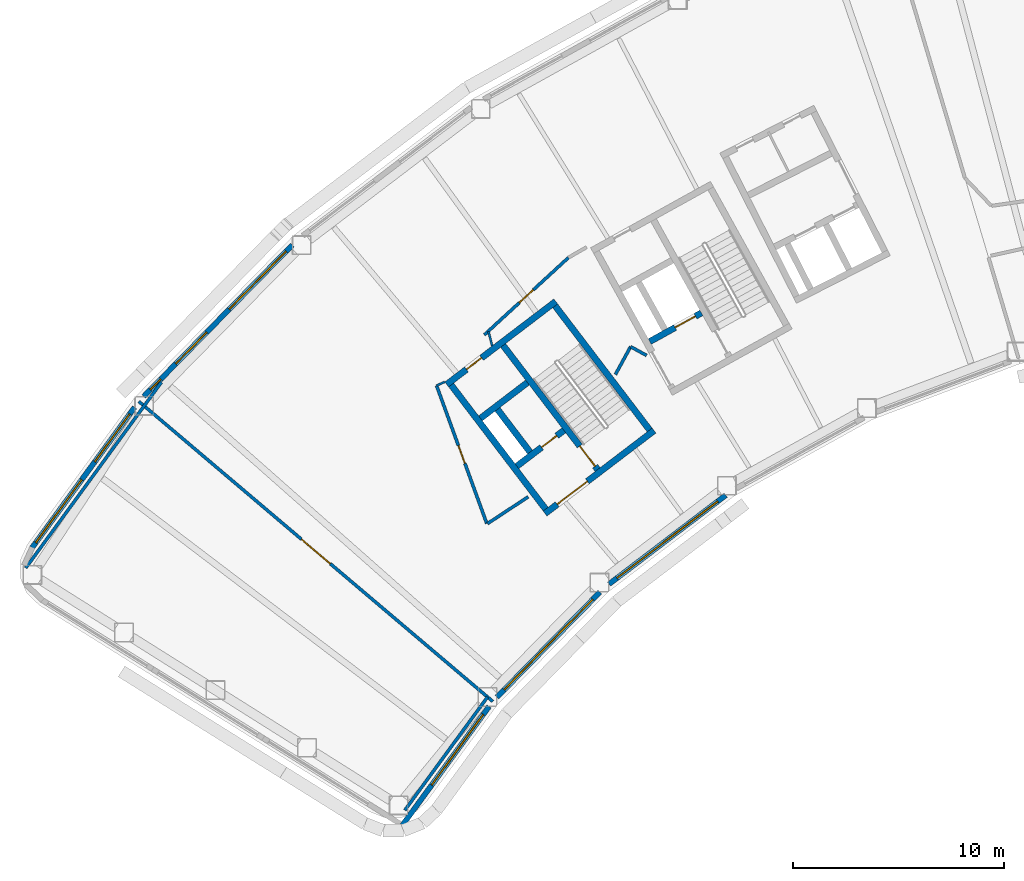
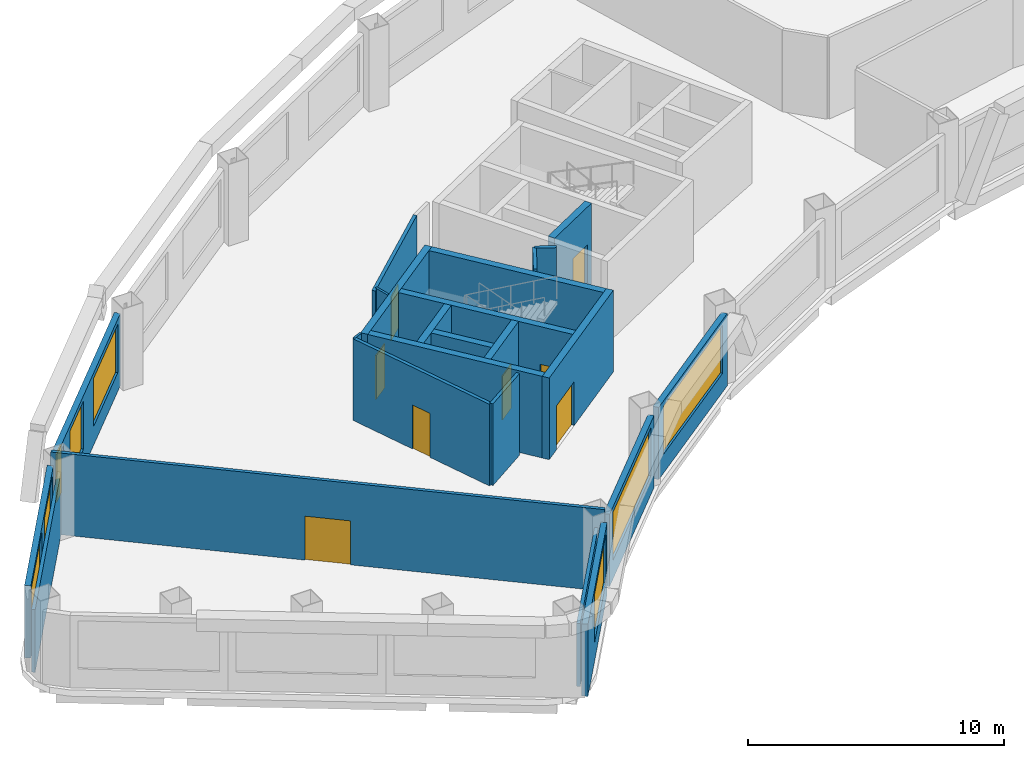
# One storey, part 5 of 12: 24 walls, 8 doors, 8 windows, 16 openings.
"""IFC4 building model written with IfcOpenShell, lengths in metres."""

import ifcopenshell
import ifcopenshell.guid

model = None  # the IFC model being written
_history = None  # IfcOwnerHistory: only IFC2X3 demands one
_inside = {}  # id of a spatial element -> (the spatial element, [elements in it])
_under = {}  # id of a project, library or spatial element -> (it, [spatial elements below it])
_declared = {}  # id of a project -> (the project, [libraries it declares])
_typed = {}  # id of a type object -> (the type object, [elements of that type])
_made_of = {}  # id of a material, layer set ... -> (it, [elements and type objects made of it])


def new_model(schema):
    """Start an empty IFC model of exactly this schema.

    Asked for "IFC4X3", IfcOpenShell would pick the latest addendum, in which some entities
    have other attributes; the version numbers below select the first issue.
    IFC2X3 requires an IfcOwnerHistory on every rooted entity: one is made here for all.
    """
    global model, _history
    if schema == "IFC4X3":
        model = ifcopenshell.file(schema_version=(4, 3, 0, 0))
    else:
        model = ifcopenshell.file(schema=schema)
    _inside.clear()
    _under.clear()
    _declared.clear()
    _typed.clear()
    _made_of.clear()
    _history = None
    if model.schema == "IFC2X3":
        org = make("IfcOrganization", Name="unknown")
        user = make(
            "IfcPersonAndOrganization",
            ThePerson=make("IfcPerson", FamilyName="unknown"),
            TheOrganization=org,
        )
        app = make(
            "IfcApplication",
            ApplicationDeveloper=org,
            Version="unknown",
            ApplicationFullName="unknown",
            ApplicationIdentifier="unknown",
        )
        _history = make(
            "IfcOwnerHistory",
            OwningUser=user,
            OwningApplication=app,
            ChangeAction="ADDED",
            CreationDate=0,
        )
    return model


def make(cls, **values):
    """One entity of the class cls with the attributes given. An attribute that is None is left unset."""
    return model.create_entity(
        cls, **{name: value for name, value in values.items() if value is not None}
    )


def rooted(cls, **values):
    """An entity with a GlobalId (a new one), such as an element, a storey or a relation."""
    return make(cls, GlobalId=ifcopenshell.guid.new(), OwnerHistory=_history, **values)


def si_unit(unit_type, name, prefix=None):
    """IfcSIUnit, for example si_unit("LENGTHUNIT", "METRE", prefix="MILLI")."""
    return make("IfcSIUnit", UnitType=unit_type, Prefix=prefix, Name=name)


def assignment(units):
    """IfcUnitAssignment: the units of a project."""
    return None if units is None else make("IfcUnitAssignment", Units=units)


def point(xyz):
    """IfcCartesianPoint."""
    return None if xyz is None else make("IfcCartesianPoint", Coordinates=xyz)


def direction(xyz):
    """IfcDirection."""
    return None if xyz is None else make("IfcDirection", DirectionRatios=xyz)


def frame(location, z_axis=None, x_axis=None):
    """IfcAxis2Placement3D, a coordinate frame: its origin and axes. An axis left out is left unset."""
    return make(
        "IfcAxis2Placement3D",
        Location=point(location),
        Axis=direction(z_axis),
        RefDirection=direction(x_axis),
    )


def frame_2d(location, x_axis=None):
    """IfcAxis2Placement2D, a coordinate frame in the plane: its origin and x axis."""
    return make(
        "IfcAxis2Placement2D", Location=point(location), RefDirection=direction(x_axis)
    )


def origin():
    """The frame at (0, 0, 0) with its axes left unset."""
    return frame((0.0, 0.0, 0.0))


def place(relative_to, where):
    """IfcLocalPlacement: puts the frame where relative to a parent placement (None: the world)."""
    return make(
        "IfcLocalPlacement", PlacementRelTo=relative_to, RelativePlacement=where
    )


def context(
    kind, dimensions, precision=None, world=None, true_north=None, identifier=None
):
    """IfcGeometricRepresentationContext, for example the 3D "Model" context."""
    return make(
        "IfcGeometricRepresentationContext",
        ContextIdentifier=identifier,
        ContextType=kind,
        CoordinateSpaceDimension=dimensions,
        Precision=precision,
        WorldCoordinateSystem=world,
        TrueNorth=true_north,
    )


def subcontext(parent, identifier, kind, view, scale=None):
    """IfcGeometricRepresentationSubContext, for example "Body" below "Model"."""
    return make(
        "IfcGeometricRepresentationSubContext",
        ContextIdentifier=identifier,
        ContextType=kind,
        ParentContext=parent,
        TargetScale=scale,
        TargetView=view,
    )


def project(units=None, contexts=None):
    """IfcProject with its units and contexts."""
    return rooted(
        "IfcProject",
        Name="project",
        RepresentationContexts=contexts,
        UnitsInContext=assignment(units),
    )


def spatial(cls, under=None, at=None, **own):
    """A site, building, storey or space (cls), placed at a placement, below another one or the project."""
    s = rooted(cls, ObjectPlacement=at, **own)
    if under is not None:
        _under.setdefault(under.id(), (under, []))[1].append(s)
    return s


def profile(cls, at=None, kind="AREA", **sizes):
    """A parametric profile (cls). Its sizes go by their IFC names, for example OverallWidth=200.0."""
    return make(cls, ProfileType=kind, Position=at, **sizes)


def rectangle(**sizes):
    """IfcRectangleProfileDef."""
    return profile("IfcRectangleProfileDef", **sizes)


def extrude(swept, where, along, depth):
    """IfcExtrudedAreaSolid: the profile swept, set in the frame where, extruded along a direction by depth."""
    return make(
        "IfcExtrudedAreaSolid",
        SweptArea=swept,
        Position=where,
        ExtrudedDirection=direction(along),
        Depth=depth,
    )


def shape(context_of_items, identifier, shape_type, items):
    """IfcShapeRepresentation: the items that make up one representation, for example the "Body"."""
    return make(
        "IfcShapeRepresentation",
        ContextOfItems=context_of_items,
        RepresentationIdentifier=identifier,
        RepresentationType=shape_type,
        Items=items,
    )


def material(Name=None, Category=None):
    """IfcMaterial."""
    return make("IfcMaterial", Name=Name, Category=Category)


def layer(
    of_material, thickness, ventilated=None, Name=None, Category=None, Priority=None
):
    """IfcMaterialLayer: one layer of a wall or slab, of a material (None: an air gap)."""
    return make(
        "IfcMaterialLayer",
        Material=of_material,
        LayerThickness=thickness,
        IsVentilated=ventilated,
        Name=Name,
        Category=Category,
        Priority=Priority,
    )


def layer_set(layers, Name=None):
    """IfcMaterialLayerSet."""
    return make("IfcMaterialLayerSet", MaterialLayers=layers, LayerSetName=Name)


def made_of(thing, what):
    """Note that an element or type object is made of a material, layer set ...; save() writes the relation."""
    if what is not None:
        _made_of.setdefault(what.id(), (what, []))[1].append(thing)
    return thing


def type_object(cls, material=None, **own):
    """A type object (cls), such as IfcWallType, which elements share."""
    return made_of(rooted(cls, **own), material)


def element(
    cls,
    number,
    at=None,
    inside=None,
    cuts=None,
    type_object=None,
    material=None,
    context=None,
    identifier="Body",
    shape_type=None,
    held_by="IfcProductDefinitionShape",
    body=None,
    shapes=None,
    **own,
):
    """One element of the class cls, such as IfcWall. Its Tag is "e" and its number.

    at: its placement. inside: the storey or other place that contains it. cuts: it is an
    opening in that element (IfcRelVoidsElement). A single representation is given by context,
    identifier, shape_type and body (its items); several are given by shapes. held_by: the class
    of the entity that holds the representations. save() writes the other relations.
    """
    e = rooted(cls, Tag="e%d" % number, ObjectPlacement=at, **own)
    if body is not None:
        shapes = [shape(context, identifier, shape_type, body)]
    if shapes is not None:
        e.Representation = make(held_by, Representations=shapes)
    if inside is not None:
        _inside.setdefault(inside.id(), (inside, []))[1].append(e)
    if cuts is not None:
        rooted(
            "IfcRelVoidsElement", RelatingBuildingElement=cuts, RelatedOpeningElement=e
        )
    if type_object is not None:
        _typed.setdefault(type_object.id(), (type_object, []))[1].append(e)
    return made_of(e, material)


def fill(opening, filler):
    """IfcRelFillsElement: the door or window that sits in an opening."""
    return rooted(
        "IfcRelFillsElement",
        RelatingOpeningElement=opening,
        RelatedBuildingElement=filler,
    )


def aggregate(whole, parts):
    """IfcRelAggregates: a whole, such as a stair, and the parts it consists of."""
    return rooted("IfcRelAggregates", RelatingObject=whole, RelatedObjects=parts)


def save(model, path):
    """Write the relations noted so far, then the file.

    IfcRelAggregates (storeys below a building ...), IfcRelContainedInSpatialStructure (elements
    in a storey), IfcRelDefinesByType, IfcRelAssociatesMaterial and IfcRelDeclares: one each for
    every whole, place, type object, material and project.
    """
    for whole, parts in _under.values():
        aggregate(whole, parts)
    for where, things in _inside.values():
        rooted(
            "IfcRelContainedInSpatialStructure",
            RelatedElements=things,
            RelatingStructure=where,
        )
    for kind, things in _typed.values():
        rooted("IfcRelDefinesByType", RelatedObjects=things, RelatingType=kind)
    for what, things in _made_of.values():
        rooted("IfcRelAssociatesMaterial", RelatedObjects=things, RelatingMaterial=what)
    for by, libraries in _declared.values():
        rooted("IfcRelDeclares", RelatingContext=by, RelatedDefinitions=libraries)
    model.write(path)


model = new_model("IFC4")

# Units and contexts
model_context = context("Model", 3, precision=1e-05, world=origin(), true_north=direction((0.0, 1.0)))
body_context = subcontext(model_context, "Body", "Model", "MODEL_VIEW")
ifc_project = project(units=[si_unit("LENGTHUNIT", "METRE"), si_unit("AREAUNIT", "SQUARE_METRE"), si_unit("VOLUMEUNIT", "CUBIC_METRE"), si_unit("PLANEANGLEUNIT", "RADIAN"), si_unit("MASSUNIT", "GRAM", prefix="KILO")], contexts=[model_context])

# Site, building, storey
site_placement = place(None, origin())
site = spatial("IfcSite", under=ifc_project, at=site_placement, CompositionType="ELEMENT")
building_placement = place(site_placement, origin())
building = spatial("IfcBuilding", under=site, at=building_placement, Name="Tuul Gate Civic Tower", CompositionType="ELEMENT")
storey_placement = place(building_placement, frame((0.0, 0.0, 193.10009765625)))
storey = spatial("IfcBuildingStorey", under=building, at=storey_placement, Name="Level 44", CompositionType="ELEMENT", Elevation=193.10009765625)

# Wall, opening, door
ifc_material_1 = material(Name="Concrete C50/60", Category="concrete")
ifc_layer_1 = layer(ifc_material_1, 0.300048828125)
ifc_layer_set_1 = layer_set([ifc_layer_1], Name="Concrete C50/60")
wall_type_1 = type_object("IfcWallType", Name="Core wall C50/60", PredefinedType="SHEAR", material=ifc_layer_set_1)
wall_1_placement = place(storey_placement, frame((-31.19091796875, -13.669677734375, 0.0), z_axis=(0.0, 0.0, 1.0), x_axis=(-0.795606717756, -0.605813461934, 0.0)))
wall_1 = element("IfcWall", 1, at=wall_1_placement, inside=storey, type_object=wall_type_1, Name="Core wall", PredefinedType="SHEAR", context=body_context, shape_type="SweptSolid", body=[
    extrude(rectangle(XDim=6.5, YDim=0.300048828125, at=frame_2d((3.25, 0.0))), origin(), (0.0, 0.0, 1.0), 3.89990234375),
])
opening_1_placement = place(wall_1_placement, frame((3.97509765625, 0.0, 0.0)))
opening_1 = element("IfcOpeningElement", 2, at=opening_1_placement, cuts=wall_1, Name="Opening LB-W1-LOBBY-1", PredefinedType="OPENING", context=body_context, shape_type="SweptSolid", body=[
    extrude(rectangle(XDim=1.800048828125, YDim=2.10009765625, at=frame_2d((0.89990234375, 1.050048828125))), frame((0.0, 0.16015625, 0.0), z_axis=(0.0, -1.0, 0.0), x_axis=(1.0, 0.0, 0.0)), (0.0, 0.0, 1.0), 0.320068359375),
])
ifc_material_2 = material(Name="Steel", Category="steel")
door_type_1 = type_object("IfcDoorType", Name="Lobby door", OperationType="DOUBLE_DOOR_SINGLE_SWING", PredefinedType="DOOR", material=ifc_material_2)
door_1_placement = place(opening_1_placement, origin())
door_1 = element("IfcDoor", 3, at=door_1_placement, inside=storey, type_object=door_type_1, Name="Lobby door W1-LOBBY", OperationType="DOUBLE_DOOR_SINGLE_SWING", OverallHeight=2.10009765625, OverallWidth=1.800048828125, PredefinedType="DOOR", context=body_context, shape_type="SweptSolid", body=[
    extrude(rectangle(XDim=1.800048828125, YDim=2.10009765625, at=frame_2d((0.89990234375, 1.050048828125))), frame((0.0, 0.02490234375, 0.0), z_axis=(0.0, -1.0, 0.0), x_axis=(1.0, 0.0, 0.0)), (0.0, 0.0, 1.0), 0.050048828125),
])
fill(opening_1, door_1)

wall_2_placement = place(storey_placement, frame((-35.470947265625, -13.66064453125, 0.0), z_axis=(0.0, 0.0, 1.0), x_axis=(-0.795615822227, -0.605801504968, 0.0)))
wall_2 = element("IfcWall", 4, at=wall_2_placement, inside=storey, type_object=wall_type_1, Name="Core wall", PredefinedType="SHEAR", context=body_context, shape_type="SweptSolid", body=[
    extrude(rectangle(XDim=2.800048828125, YDim=0.300048828125, at=frame_2d((1.39990234375, 0.0))), origin(), (0.0, 0.0, 1.0), 3.89990234375),
])
opening_2_placement = place(wall_2_placement, frame((0.425048828125, 0.0, 0.0)))
opening_2 = element("IfcOpeningElement", 5, at=opening_2_placement, cuts=wall_2, Name="Opening FB-W1A1", PredefinedType="OPENING", context=body_context, shape_type="SweptSolid", body=[
    extrude(rectangle(XDim=0.89990234375, YDim=2.10009765625, at=frame_2d((0.449951171875, 1.050048828125))), frame((0.0, 0.16015625, 0.0), z_axis=(0.0, -1.0, 0.0), x_axis=(1.0, 0.0, 0.0)), (0.0, 0.0, 1.0), 0.320068359375),
])
ifc_material_3 = material(Name="Steel", Category="steel")
door_type_2 = type_object("IfcDoorType", Name="Store door", OperationType="NOTDEFINED", PredefinedType="DOOR", material=ifc_material_3)
door_2_placement = place(opening_2_placement, origin())
door_2 = element("IfcDoor", 6, at=door_2_placement, inside=storey, type_object=door_type_2, Name="Store door W1A1", OperationType="SINGLE_SWING_LEFT", OverallHeight=2.10009765625, OverallWidth=0.89990234375, PredefinedType="DOOR", context=body_context, shape_type="SweptSolid", body=[
    extrude(rectangle(XDim=0.89990234375, YDim=2.10009765625, at=frame_2d((0.449951171875, 1.050048828125))), frame((0.0, 0.02490234375, 0.0), z_axis=(0.0, -1.0, 0.0), x_axis=(1.0, 0.0, 0.0)), (0.0, 0.0, 1.0), 0.050048828125),
])
fill(opening_2, door_2)

# Wall
wall_3_placement = place(storey_placement, frame((-37.197509765625, -11.39306640625, 0.0), z_axis=(0.0, 0.0, 1.0), x_axis=(-0.795583820278, -0.605843531707, 0.0)))
element("IfcWall", 7, at=wall_3_placement, inside=storey, type_object=wall_type_1, Name="Core wall", PredefinedType="SHEAR", context=body_context, shape_type="SweptSolid", body=[
    extrude(rectangle(XDim=2.7998046875, YDim=0.300048828125, at=frame_2d((1.39990234375, 0.0))), origin(), (0.0, 0.0, 1.0), 3.89990234375),
])

# Wall, opening, door
wall_4_placement = place(storey_placement, frame((-35.855224609375, -7.543212890625, 0.0), z_axis=(0.0, 0.0, 1.0), x_axis=(-0.79563860527, -0.605771582202, 0.0)))
wall_4 = element("IfcWall", 8, at=wall_4_placement, inside=storey, type_object=wall_type_1, Name="Core wall", PredefinedType="SHEAR", context=body_context, shape_type="SweptSolid", body=[
    extrude(rectangle(XDim=6.5, YDim=0.300048828125, at=frame_2d((3.25, 0.0))), origin(), (0.0, 0.0, 1.0), 3.89990234375),
])
opening_3_placement = place(wall_4_placement, frame((4.425048828125, 0.0, 0.0)))
opening_3 = element("IfcOpeningElement", 9, at=opening_3_placement, cuts=wall_4, Name="Opening P-D12", PredefinedType="OPENING", context=body_context, shape_type="SweptSolid", body=[
    extrude(rectangle(XDim=0.89990234375, YDim=2.10009765625, at=frame_2d((0.449951171875, 1.050048828125))), frame((0.0, 0.16015625, 0.0), z_axis=(0.0, -1.0, 0.0), x_axis=(1.0, 0.0, 0.0)), (0.0, 0.0, 1.0), 0.320068359375),
])
ifc_material_4 = material(Name="Timber door leaf", Category="wood")
door_type_3 = type_object("IfcDoorType", Name="Door D09", OperationType="NOTDEFINED", PredefinedType="DOOR", material=ifc_material_4)
door_3_placement = place(opening_3_placement, origin())
door_3 = element("IfcDoor", 10, at=door_3_placement, inside=storey, type_object=door_type_3, Name="Door P-D12", OperationType="SINGLE_SWING_LEFT", OverallHeight=2.10009765625, OverallWidth=0.89990234375, PredefinedType="DOOR", context=body_context, shape_type="SweptSolid", body=[
    extrude(rectangle(XDim=0.89990234375, YDim=2.10009765625, at=frame_2d((0.449951171875, 1.050048828125))), frame((0.0, 0.02490234375, 0.0), z_axis=(0.0, -1.0, 0.0), x_axis=(1.0, 0.0, 0.0)), (0.0, 0.0, 1.0), 0.050048828125),
])
fill(opening_3, door_3)

# Wall
wall_5_placement = place(storey_placement, frame((-31.401123046875, -13.64111328125, 0.0), z_axis=(0.0, 0.0, 1.0), x_axis=(-0.605769822278, 0.795639945213, 0.0)))
element("IfcWall", 11, at=wall_5_placement, inside=storey, type_object=wall_type_1, Name="Core wall", PredefinedType="SHEAR", context=body_context, shape_type="SweptSolid", body=[
    extrude(rectangle(XDim=7.39990234375, YDim=0.300048828125, at=frame_2d((3.699951171875, 0.0))), origin(), (0.0, 0.0, 1.0), 3.89990234375),
])

# Wall, opening, door
wall_6_placement = place(storey_placement, frame((-33.867431640625, -15.51904296875, 0.0), z_axis=(0.0, 0.0, 1.0), x_axis=(-0.605769822278, 0.795639945213, 0.0)))
wall_6 = element("IfcWall", 12, at=wall_6_placement, inside=storey, type_object=wall_type_1, Name="Core wall", PredefinedType="SHEAR", context=body_context, shape_type="SweptSolid", body=[
    extrude(rectangle(XDim=7.39990234375, YDim=0.300048828125, at=frame_2d((3.699951171875, 0.0))), origin(), (0.0, 0.0, 1.0), 3.89990234375),
])
opening_4_placement = place(wall_6_placement, frame((0.199951171875, 0.0, 0.0)))
opening_4 = element("IfcOpeningElement", 13, at=opening_4_placement, cuts=wall_6, Name="Opening SD-ST-1", PredefinedType="OPENING", context=body_context, shape_type="SweptSolid", body=[
    extrude(rectangle(XDim=1.199951171875, YDim=2.10009765625, at=frame_2d((0.60009765625, 1.050048828125))), frame((0.0, 0.16015625, 0.0), z_axis=(0.0, -1.0, 0.0), x_axis=(1.0, 0.0, 0.0)), (0.0, 0.0, 1.0), 0.320068359375),
])
ifc_material_5 = material(Name="Steel", Category="steel")
door_type_4 = type_object("IfcDoorType", Name="Stair door", OperationType="NOTDEFINED", PredefinedType="DOOR", material=ifc_material_5)
door_4_placement = place(opening_4_placement, origin())
door_4 = element("IfcDoor", 14, at=door_4_placement, inside=storey, type_object=door_type_4, Name="Stair door ST-1", OperationType="SINGLE_SWING_LEFT", OverallHeight=2.10009765625, OverallWidth=1.199951171875, PredefinedType="DOOR", context=body_context, shape_type="SweptSolid", body=[
    extrude(rectangle(XDim=1.199951171875, YDim=2.10009765625, at=frame_2d((0.60009765625, 1.050048828125))), frame((0.0, 0.02490234375, 0.0), z_axis=(0.0, -1.0, 0.0), x_axis=(1.0, 0.0, 0.0)), (0.0, 0.0, 1.0), 0.050048828125),
])
fill(opening_4, door_4)

# Walls
wall_7_placement = place(storey_placement, frame((-37.073486328125, -14.6923828125, 0.0), z_axis=(0.0, 0.0, 1.0), x_axis=(-0.605728760074, 0.79567120673, 0.0)))
element("IfcWall", 15, at=wall_7_placement, inside=storey, type_object=wall_type_1, Name="Core wall", PredefinedType="SHEAR", context=body_context, shape_type="SweptSolid", body=[
    extrude(rectangle(XDim=2.550048828125, YDim=0.300048828125, at=frame_2d((1.27490234375, 0.0))), origin(), (0.0, 0.0, 1.0), 3.89990234375),
])
wall_8_placement = place(storey_placement, frame((-36.333984375, -17.397216796875, 0.0), z_axis=(0.0, 0.0, 1.0), x_axis=(-0.605753921168, 0.795652051458, 0.0)))
element("IfcWall", 16, at=wall_8_placement, inside=storey, type_object=wall_type_1, Name="Core wall", PredefinedType="SHEAR", context=body_context, shape_type="SweptSolid", body=[
    extrude(rectangle(XDim=7.400146484375, YDim=0.300048828125, at=frame_2d((3.7001953125, 0.0))), origin(), (0.0, 0.0, 1.0), 3.89990234375),
])

# Wall, opening, door
wall_9_placement = place(storey_placement, frame((-28.94580078125, -8.090087890625, 0.0), z_axis=(0.0, 0.0, 1.0), x_axis=(-0.874629840737, -0.484791338301, 0.0)))
wall_9 = element("IfcWall", 17, at=wall_9_placement, inside=storey, type_object=wall_type_1, Name="Core wall", PredefinedType="SHEAR", context=body_context, shape_type="SweptSolid", body=[
    extrude(rectangle(XDim=2.800048828125, YDim=0.300048828125, at=frame_2d((1.39990234375, 0.0))), origin(), (0.0, 0.0, 1.0), 3.89990234375),
])
opening_5_placement = place(wall_9_placement, frame((0.324951171875, 0.0, 0.0)))
opening_5 = element("IfcOpeningElement", 18, at=opening_5_placement, cuts=wall_9, Name="Opening LD-FF-1", PredefinedType="OPENING", context=body_context, shape_type="SweptSolid", body=[
    extrude(rectangle(XDim=1.10009765625, YDim=2.10009765625, at=frame_2d((0.550048828125, 1.050048828125))), frame((0.0, 0.16015625, 0.0), z_axis=(0.0, -1.0, 0.0), x_axis=(1.0, 0.0, 0.0)), (0.0, 0.0, 1.0), 0.320068359375),
])
ifc_material_6 = material(Name="Stainless steel", Category="steel")
door_type_5 = type_object("IfcDoorType", Name="Landing door", OperationType="DOUBLE_DOOR_SLIDING", PredefinedType="DOOR", material=ifc_material_6)
door_5_placement = place(opening_5_placement, origin())
door_5 = element("IfcDoor", 19, at=door_5_placement, inside=storey, type_object=door_type_5, Name="Fire-fighting lift FF-1 landing door", OperationType="DOUBLE_DOOR_SLIDING", OverallHeight=2.10009765625, OverallWidth=1.10009765625, PredefinedType="DOOR", context=body_context, shape_type="SweptSolid", body=[
    extrude(rectangle(XDim=1.10009765625, YDim=2.10009765625, at=frame_2d((0.550048828125, 1.050048828125))), frame((0.0, 0.02490234375, 0.0), z_axis=(0.0, -1.0, 0.0), x_axis=(1.0, 0.0, 0.0)), (0.0, 0.0, 1.0), 0.050048828125),
])
fill(opening_5, door_5)

ifc_material_7 = material(Name="Gypsum board partition")
ifc_layer_2 = layer(ifc_material_7, 0.14990234375)
ifc_layer_set_2 = layer_set([ifc_layer_2], Name="Gypsum board partition")
wall_type_2 = type_object("IfcWallType", Name="Corridor wall P150", PredefinedType="PARTITIONING", material=ifc_layer_set_2)
wall_10_placement = place(storey_placement, frame((-55.634521484375, -12.2861328125, 0.0), z_axis=(0.0, 0.0, 1.0), x_axis=(0.762829966003, -0.646599136226, 0.0)))
wall_10 = element("IfcWall", 20, at=wall_10_placement, inside=storey, type_object=wall_type_2, Name="p010", PredefinedType="PARTITIONING", context=body_context, shape_type="SweptSolid", body=[
    extrude(rectangle(XDim=22.017333984375, YDim=0.14990234375, at=frame_2d((11.0087890625, 0.0))), origin(), (0.0, 0.0, 1.0), 3.89990234375),
])
opening_6_placement = place(wall_10_placement, frame((10.108642578125, 0.0, 0.0)))
opening_6 = element("IfcOpeningElement", 21, at=opening_6_placement, cuts=wall_10, Name="Opening P-D02", PredefinedType="OPENING", context=body_context, shape_type="SweptSolid", body=[
    extrude(rectangle(XDim=1.800048828125, YDim=2.10009765625, at=frame_2d((0.89990234375, 1.050048828125))), frame((0.0, 0.0849609375, 0.0), z_axis=(0.0, -1.0, 0.0), x_axis=(1.0, 0.0, 0.0)), (0.0, 0.0, 1.0), 0.169921875),
])
ifc_material_8 = material(Name="Timber door leaf, double", Category="wood")
door_type_6 = type_object("IfcDoorType", Name="Door D18", OperationType="DOUBLE_DOOR_SINGLE_SWING", PredefinedType="DOOR", material=ifc_material_8)
door_6_placement = place(opening_6_placement, frame((1.800048828125, 0.0, 0.0), z_axis=(0.0, 0.0, 1.0), x_axis=(-1.0, 0.0, 0.0)))
door_6 = element("IfcDoor", 22, at=door_6_placement, inside=storey, type_object=door_type_6, Name="Door P-D02", OperationType="DOUBLE_DOOR_SINGLE_SWING", OverallHeight=2.10009765625, OverallWidth=1.800048828125, PredefinedType="DOOR", context=body_context, shape_type="SweptSolid", body=[
    extrude(rectangle(XDim=1.800048828125, YDim=2.10009765625, at=frame_2d((0.900146484375, 1.050048828125))), frame((0.0, 0.02490234375, 0.0), z_axis=(0.0, -1.0, 0.0), x_axis=(1.0, 0.0, 0.0)), (0.0, 0.0, 1.0), 0.050048828125),
])
fill(opening_6, door_6)

wall_11_placement = place(storey_placement, frame((-39.243896484375, -9.12939453125, 0.0), z_axis=(0.0, 0.0, 1.0), x_axis=(0.736659657048, 0.676263668755, 0.0)))
wall_11 = element("IfcWall", 23, at=wall_11_placement, inside=storey, type_object=wall_type_2, Name="p031", PredefinedType="PARTITIONING", context=body_context, shape_type="SweptSolid", body=[
    extrude(rectangle(XDim=5.41259765625, YDim=0.14990234375, at=frame_2d((2.706298828125, 0.0))), origin(), (0.0, 0.0, 1.0), 3.89990234375),
])
opening_7_placement = place(wall_11_placement, frame((2.25634765625, 0.0, 0.0)))
opening_7 = element("IfcOpeningElement", 24, at=opening_7_placement, cuts=wall_11, Name="Opening P-D09", PredefinedType="OPENING", context=body_context, shape_type="SweptSolid", body=[
    extrude(rectangle(XDim=0.89990234375, YDim=2.10009765625, at=frame_2d((0.449951171875, 1.050048828125))), frame((0.0, 0.0849609375, 0.0), z_axis=(0.0, -1.0, 0.0), x_axis=(1.0, 0.0, 0.0)), (0.0, 0.0, 1.0), 0.169921875),
])
door_7_placement = place(opening_7_placement, origin())
door_7 = element("IfcDoor", 25, at=door_7_placement, inside=storey, type_object=door_type_3, Name="Door P-D09", OperationType="SINGLE_SWING_RIGHT", OverallHeight=2.10009765625, OverallWidth=0.89990234375, PredefinedType="DOOR", context=body_context, shape_type="SweptSolid", body=[
    extrude(rectangle(XDim=0.89990234375, YDim=2.10009765625, at=frame_2d((0.449951171875, 1.050048828125))), frame((0.0, 0.02490234375, 0.0), z_axis=(0.0, -1.0, 0.0), x_axis=(1.0, 0.0, 0.0)), (0.0, 0.0, 1.0), 0.050048828125),
])
fill(opening_7, door_7)

# Walls
wall_12_placement = place(storey_placement, frame((-32.30224609375, -9.691162109375, 0.0), z_axis=(0.0, 0.0, 1.0), x_axis=(0.877192627752, -0.480138619378, 0.0)))
element("IfcWall", 26, at=wall_12_placement, inside=storey, type_object=wall_type_2, Name="p033", PredefinedType="PARTITIONING", context=body_context, shape_type="SweptSolid", body=[
    extrude(rectangle(XDim=0.864013671875, YDim=0.14990234375, at=frame_2d((0.43212890625, 0.0))), origin(), (0.0, 0.0, 1.0), 3.89990234375),
])
wall_13_placement = place(storey_placement, frame((-33.025390625, -11.01171875, 0.0), z_axis=(0.0, 0.0, 1.0), x_axis=(0.479999637959, 0.87726868607, 0.0)))
element("IfcWall", 27, at=wall_13_placement, inside=storey, type_object=wall_type_2, Name="p034", PredefinedType="PARTITIONING", context=body_context, shape_type="SweptSolid", body=[
    extrude(rectangle(XDim=1.505126953125, YDim=0.14990234375, at=frame_2d((0.75244140625, 0.0))), origin(), (0.0, 0.0, 1.0), 3.89990234375),
])
wall_14_placement = place(storey_placement, frame((-39.0966796875, -18.0869140625, 0.0), z_axis=(0.0, 0.0, 1.0), x_axis=(0.835273398687, 0.549834838334, 0.0)))
element("IfcWall", 28, at=wall_14_placement, inside=storey, type_object=wall_type_2, Name="p035", PredefinedType="PARTITIONING", context=body_context, shape_type="SweptSolid", body=[
    extrude(rectangle(XDim=2.320556640625, YDim=0.14990234375, at=frame_2d((1.16015625, 0.0))), origin(), (0.0, 0.0, 1.0), 3.89990234375),
])

# Wall, opening, door
wall_15_placement = place(storey_placement, frame((-41.51025390625, -11.533447265625, 0.0), z_axis=(0.0, 0.0, 1.0), x_axis=(0.342294701166, -0.939592644476, 0.0)))
wall_15 = element("IfcWall", 29, at=wall_15_placement, inside=storey, type_object=wall_type_2, Name="p036", PredefinedType="PARTITIONING", context=body_context, shape_type="SweptSolid", body=[
    extrude(rectangle(XDim=6.964111328125, YDim=0.14990234375, at=frame_2d((3.48193359375, 0.0))), origin(), (0.0, 0.0, 1.0), 3.89990234375),
])
opening_8_placement = place(wall_15_placement, frame((3.031982421875, 0.0, 0.0)))
opening_8 = element("IfcOpeningElement", 30, at=opening_8_placement, cuts=wall_15, Name="Opening P-D10", PredefinedType="OPENING", context=body_context, shape_type="SweptSolid", body=[
    extrude(rectangle(XDim=0.89990234375, YDim=2.10009765625, at=frame_2d((0.449951171875, 1.050048828125))), frame((0.0, 0.0849609375, 0.0), z_axis=(0.0, -1.0, 0.0), x_axis=(1.0, 0.0, 0.0)), (0.0, 0.0, 1.0), 0.169921875),
])
door_8_placement = place(opening_8_placement, origin())
door_8 = element("IfcDoor", 31, at=door_8_placement, inside=storey, type_object=door_type_3, Name="Door P-D10", OperationType="SINGLE_SWING_RIGHT", OverallHeight=2.10009765625, OverallWidth=0.89990234375, PredefinedType="DOOR", context=body_context, shape_type="SweptSolid", body=[
    extrude(rectangle(XDim=0.89990234375, YDim=2.10009765625, at=frame_2d((0.449951171875, 1.050048828125))), frame((0.0, 0.02490234375, 0.0), z_axis=(0.0, -1.0, 0.0), x_axis=(1.0, 0.0, 0.0)), (0.0, 0.0, 1.0), 0.050048828125),
])
fill(opening_8, door_8)

# Walls
ifc_material_9 = material(Name="Gypsum board partition")
ifc_layer_3 = layer(ifc_material_9, 0.14990234375)
ifc_layer_set_3 = layer_set([ifc_layer_3], Name="Gypsum board partition")
wall_type_3 = type_object("IfcWallType", Name="Corridor wall P150 3000 HIGH", PredefinedType="PARTITIONING", material=ifc_layer_set_3)
wall_16_placement = place(storey_placement, frame((-60.9970703125, -20.188720703125, 0.0), z_axis=(0.0, 0.0, 1.0), x_axis=(0.589764634547, 0.807575182777, 0.0)))
element("IfcWall", 32, at=wall_16_placement, inside=storey, type_object=wall_type_3, Name="p009", PredefinedType="PARTITIONING", context=body_context, shape_type="SweptSolid", body=[
    extrude(rectangle(XDim=10.90966796875, YDim=0.14990234375, at=frame_2d((5.454833984375, 0.0))), origin(), (0.0, 0.0, 1.0), 3.0),
])
wall_17_placement = place(storey_placement, frame((-43.01318359375, -31.67919921875, 0.0), z_axis=(0.0, 0.0, 1.0), x_axis=(0.589742259334, 0.807591522711, 0.0)))
element("IfcWall", 33, at=wall_17_placement, inside=storey, type_object=wall_type_3, Name="p011", PredefinedType="PARTITIONING", context=body_context, shape_type="SweptSolid", body=[
    extrude(rectangle(XDim=6.650146484375, YDim=0.14990234375, at=frame_2d((3.3251953125, 0.0))), origin(), (0.0, 0.0, 1.0), 3.0),
])

# Wall, openings, windows
ifc_material_10 = material(Name="Precast concrete C40/50", Category="concrete")
ifc_layer_4 = layer(ifc_material_10, 0.25)
ifc_layer_set_4 = layer_set([ifc_layer_4], Name="Precast concrete C40/50")
wall_type_4 = type_object("IfcWallType", Name="External wall", PredefinedType="STANDARD", material=ifc_layer_set_4)
wall_18_placement = place(storey_placement, frame((-48.35791015625, -4.87060546875, 0.0), z_axis=(0.0, 0.0, 1.0), x_axis=(-0.700041790386, -0.714101877685, 0.0)))
wall_18 = element("IfcWall", 34, at=wall_18_placement, inside=storey, type_object=wall_type_4, Name="External wall", PredefinedType="STANDARD", context=body_context, shape_type="SweptSolid", body=[
    extrude(rectangle(XDim=10.0537109375, YDim=0.25, at=frame_2d((5.02685546875, 0.0))), origin(), (0.0, 0.0, 1.0), 3.449951171875),
])
opening_9_placement = place(wall_18_placement, frame((0.416015625, 0.0, 0.89990234375)))
opening_9 = element("IfcOpeningElement", 35, at=opening_9_placement, cuts=wall_18, Name="Opening W22", PredefinedType="OPENING", context=body_context, shape_type="SweptSolid", body=[
    extrude(rectangle(XDim=3.85009765625, YDim=2.300048828125, at=frame_2d((1.925048828125, 1.14990234375))), frame((0.0, 0.135009765625, 0.0), z_axis=(0.0, -1.0, 0.0), x_axis=(1.0, 0.0, 0.0)), (0.0, 0.0, 1.0), 0.27001953125),
])
opening_10_placement = place(wall_18_placement, frame((5.79345703125, 0.0, 0.89990234375)))
opening_10 = element("IfcOpeningElement", 36, at=opening_10_placement, cuts=wall_18, Name="Opening W40", PredefinedType="OPENING", context=body_context, shape_type="SweptSolid", body=[
    extrude(rectangle(XDim=2.10009765625, YDim=2.300048828125, at=frame_2d((1.050048828125, 1.14990234375))), frame((0.0, 0.135009765625, 0.0), z_axis=(0.0, -1.0, 0.0), x_axis=(1.0, 0.0, 0.0)), (0.0, 0.0, 1.0), 0.27001953125),
])
opening_11_placement = place(wall_18_placement, frame((8.905029296875, 0.0, 0.89990234375)))
opening_11 = element("IfcOpeningElement", 37, at=opening_11_placement, cuts=wall_18, Name="Opening W70", PredefinedType="OPENING", context=body_context, shape_type="SweptSolid", body=[
    extrude(rectangle(XDim=0.699951171875, YDim=2.300048828125, at=frame_2d((0.35009765625, 1.14990234375))), frame((0.0, 0.135009765625, 0.0), z_axis=(0.0, -1.0, 0.0), x_axis=(1.0, 0.0, 0.0)), (0.0, 0.0, 1.0), 0.27001953125),
])
ifc_material_11 = material(Name="Glass", Category="glass")
window_type_1 = type_object("IfcWindowType", Name="Window 2100 x 2300", PartitioningType="SINGLE_PANEL", PredefinedType="WINDOW", material=ifc_material_11)
window_1_placement = place(opening_10_placement, origin())
window_1 = element("IfcWindow", 38, at=window_1_placement, inside=storey, type_object=window_type_1, Name="Window", OverallHeight=2.300048828125, OverallWidth=2.10009765625, PartitioningType="SINGLE_PANEL", PredefinedType="WINDOW", context=body_context, shape_type="SweptSolid", body=[
    extrude(rectangle(XDim=2.10009765625, YDim=2.300048828125, at=frame_2d((1.050048828125, 1.14990234375))), frame((0.0, 0.030029296875, 0.0), z_axis=(0.0, -1.0, 0.0), x_axis=(1.0, 0.0, 0.0)), (0.0, 0.0, 1.0), 0.06005859375),
])
fill(opening_10, window_1)
ifc_material_12 = material(Name="Glass", Category="glass")
window_type_2 = type_object("IfcWindowType", Name="Window 700 x 2300", PartitioningType="SINGLE_PANEL", PredefinedType="WINDOW", material=ifc_material_12)
window_2_placement = place(opening_11_placement, origin())
window_2 = element("IfcWindow", 39, at=window_2_placement, inside=storey, type_object=window_type_2, Name="Window", OverallHeight=2.300048828125, OverallWidth=0.699951171875, PartitioningType="SINGLE_PANEL", PredefinedType="WINDOW", context=body_context, shape_type="SweptSolid", body=[
    extrude(rectangle(XDim=0.699951171875, YDim=2.300048828125, at=frame_2d((0.35009765625, 1.14990234375))), frame((0.0, 0.030029296875, 0.0), z_axis=(0.0, -1.0, 0.0), x_axis=(1.0, 0.0, 0.0)), (0.0, 0.0, 1.0), 0.06005859375),
])
fill(opening_11, window_2)
ifc_material_13 = material(Name="Glass", Category="glass")
window_type_3 = type_object("IfcWindowType", Name="Window W22 3850 x 2300", PartitioningType="SINGLE_PANEL", PredefinedType="WINDOW", material=ifc_material_13)
window_3_placement = place(opening_9_placement, origin())
window_3 = element("IfcWindow", 40, at=window_3_placement, inside=storey, type_object=window_type_3, Name="Window", OverallHeight=2.300048828125, OverallWidth=3.85009765625, PartitioningType="SINGLE_PANEL", PredefinedType="WINDOW", context=body_context, shape_type="SweptSolid", body=[
    extrude(rectangle(XDim=3.85009765625, YDim=2.300048828125, at=frame_2d((1.925048828125, 1.14990234375))), frame((0.0, 0.030029296875, 0.0), z_axis=(0.0, -1.0, 0.0), x_axis=(1.0, 0.0, 0.0)), (0.0, 0.0, 1.0), 0.06005859375),
])
fill(opening_9, window_3)

wall_19_placement = place(storey_placement, frame((-55.83203125, -12.565185546875, 0.0), z_axis=(0.0, 0.0, 1.0), x_axis=(-0.589755466838, -0.80758187779, 0.0)))
wall_19 = element("IfcWall", 41, at=wall_19_placement, inside=storey, type_object=wall_type_4, Name="External wall", PredefinedType="STANDARD", context=body_context, shape_type="SweptSolid", body=[
    extrude(rectangle(XDim=8.25244140625, YDim=0.25, at=frame_2d((4.126220703125, 0.0))), origin(), (0.0, 0.0, 1.0), 3.449951171875),
])
opening_12_placement = place(wall_19_placement, frame((0.39990234375, 0.0, 0.89990234375)))
opening_12 = element("IfcOpeningElement", 42, at=opening_12_placement, cuts=wall_19, Name="Opening W23", PredefinedType="OPENING", context=body_context, shape_type="SweptSolid", body=[
    extrude(rectangle(XDim=2.800048828125, YDim=2.300048828125, at=frame_2d((1.39990234375, 1.14990234375))), frame((0.0, 0.135009765625, 0.0), z_axis=(0.0, -1.0, 0.0), x_axis=(1.0, 0.0, 0.0)), (0.0, 0.0, 1.0), 0.27001953125),
])
opening_13_placement = place(wall_19_placement, frame((4.251708984375, 0.0, 0.89990234375)))
opening_13 = element("IfcOpeningElement", 43, at=opening_13_placement, cuts=wall_19, Name="Opening W21", PredefinedType="OPENING", context=body_context, shape_type="SweptSolid", body=[
    extrude(rectangle(XDim=3.699951171875, YDim=2.300048828125, at=frame_2d((1.85009765625, 1.14990234375))), frame((0.0, 0.135009765625, 0.0), z_axis=(0.0, -1.0, 0.0), x_axis=(1.0, 0.0, 0.0)), (0.0, 0.0, 1.0), 0.27001953125),
])
ifc_material_14 = material(Name="Glass", Category="glass")
window_type_4 = type_object("IfcWindowType", Name="Window W21 3700 x 2300", PartitioningType="SINGLE_PANEL", PredefinedType="WINDOW", material=ifc_material_14)
window_4_placement = place(opening_13_placement, origin())
window_4 = element("IfcWindow", 44, at=window_4_placement, inside=storey, type_object=window_type_4, Name="Window", OverallHeight=2.300048828125, OverallWidth=3.699951171875, PartitioningType="SINGLE_PANEL", PredefinedType="WINDOW", context=body_context, shape_type="SweptSolid", body=[
    extrude(rectangle(XDim=3.699951171875, YDim=2.300048828125, at=frame_2d((1.85009765625, 1.14990234375))), frame((0.0, 0.030029296875, 0.0), z_axis=(0.0, -1.0, 0.0), x_axis=(1.0, 0.0, 0.0)), (0.0, 0.0, 1.0), 0.06005859375),
])
fill(opening_13, window_4)
ifc_material_15 = material(Name="Glass", Category="glass")
window_type_5 = type_object("IfcWindowType", Name="Window W23 2800 x 2300", PartitioningType="SINGLE_PANEL", PredefinedType="WINDOW", material=ifc_material_15)
window_5_placement = place(opening_12_placement, origin())
window_5 = element("IfcWindow", 45, at=window_5_placement, inside=storey, type_object=window_type_5, Name="Window", OverallHeight=2.300048828125, OverallWidth=2.800048828125, PartitioningType="SINGLE_PANEL", PredefinedType="WINDOW", context=body_context, shape_type="SweptSolid", body=[
    extrude(rectangle(XDim=2.800048828125, YDim=2.300048828125, at=frame_2d((1.39990234375, 1.14990234375))), frame((0.0, 0.030029296875, 0.0), z_axis=(0.0, -1.0, 0.0), x_axis=(1.0, 0.0, 0.0)), (0.0, 0.0, 1.0), 0.06005859375),
])
fill(opening_12, window_5)

# Wall, opening, window
wall_20_placement = place(storey_placement, frame((-43.129638671875, -32.3896484375, 0.0), z_axis=(0.0, 0.0, 1.0), x_axis=(0.589748783254, 0.807586758591, 0.0)))
wall_20 = element("IfcWall", 46, at=wall_20_placement, inside=storey, type_object=wall_type_4, Name="External wall", PredefinedType="STANDARD", context=body_context, shape_type="SweptSolid", body=[
    extrude(rectangle(XDim=6.97216796875, YDim=0.25, at=frame_2d((3.486083984375, 0.0))), origin(), (0.0, 0.0, 1.0), 3.449951171875),
])
opening_14_placement = place(wall_20_placement, frame((2.357666015625, 0.0, 0.89990234375)))
opening_14 = element("IfcOpeningElement", 47, at=opening_14_placement, cuts=wall_20, Name="Opening W25", PredefinedType="OPENING", context=body_context, shape_type="SweptSolid", body=[
    extrude(rectangle(XDim=4.14990234375, YDim=2.300048828125, at=frame_2d((2.074951171875, 1.14990234375))), frame((0.0, 0.135009765625, 0.0), z_axis=(0.0, -1.0, 0.0), x_axis=(1.0, 0.0, 0.0)), (0.0, 0.0, 1.0), 0.27001953125),
])
ifc_material_16 = material(Name="Glass", Category="glass")
window_type_6 = type_object("IfcWindowType", Name="Window W25 4150 x 2300", PartitioningType="SINGLE_PANEL", PredefinedType="WINDOW", material=ifc_material_16)
window_6_placement = place(opening_14_placement, origin())
window_6 = element("IfcWindow", 48, at=window_6_placement, inside=storey, type_object=window_type_6, Name="Window", OverallHeight=2.300048828125, OverallWidth=4.14990234375, PartitioningType="SINGLE_PANEL", PredefinedType="WINDOW", context=body_context, shape_type="SweptSolid", body=[
    extrude(rectangle(XDim=4.14990234375, YDim=2.300048828125, at=frame_2d((2.074951171875, 1.14990234375))), frame((0.0, 0.030029296875, 0.0), z_axis=(0.0, -1.0, 0.0), x_axis=(1.0, 0.0, 0.0)), (0.0, 0.0, 1.0), 0.06005859375),
])
fill(opening_14, window_6)

wall_21_placement = place(storey_placement, frame((-38.64111328125, -26.313232421875, 0.0), z_axis=(0.0, 0.0, 1.0), x_axis=(0.700101181113, 0.71404365147, 0.0)))
wall_21 = element("IfcWall", 49, at=wall_21_placement, inside=storey, type_object=wall_type_4, Name="External wall", PredefinedType="STANDARD", context=body_context, shape_type="SweptSolid", body=[
    extrude(rectangle(XDim=6.96923828125, YDim=0.25, at=frame_2d((3.484619140625, 0.0))), origin(), (0.0, 0.0, 1.0), 3.449951171875),
])
opening_15_placement = place(wall_21_placement, frame((0.484130859375, 0.0, 0.89990234375)))
opening_15 = element("IfcOpeningElement", 50, at=opening_15_placement, cuts=wall_21, Name="Opening W26", PredefinedType="OPENING", context=body_context, shape_type="SweptSolid", body=[
    extrude(rectangle(XDim=6.0, YDim=2.300048828125, at=frame_2d((3.0, 1.14990234375))), frame((0.0, 0.135009765625, 0.0), z_axis=(0.0, -1.0, 0.0), x_axis=(1.0, 0.0, 0.0)), (0.0, 0.0, 1.0), 0.27001953125),
])
ifc_material_17 = material(Name="Glass", Category="glass")
window_type_7 = type_object("IfcWindowType", Name="Window W26 6000 x 2300", PartitioningType="SINGLE_PANEL", PredefinedType="WINDOW", material=ifc_material_17)
window_7_placement = place(opening_15_placement, origin())
window_7 = element("IfcWindow", 51, at=window_7_placement, inside=storey, type_object=window_type_7, Name="Window", OverallHeight=2.300048828125, OverallWidth=6.0, PartitioningType="SINGLE_PANEL", PredefinedType="WINDOW", context=body_context, shape_type="SweptSolid", body=[
    extrude(rectangle(XDim=6.0, YDim=2.300048828125, at=frame_2d((3.0, 1.14990234375))), frame((0.0, 0.030029296875, 0.0), z_axis=(0.0, -1.0, 0.0), x_axis=(1.0, 0.0, 0.0)), (0.0, 0.0, 1.0), 0.06005859375),
])
fill(opening_15, window_7)

wall_22_placement = place(storey_placement, frame((-33.326904296875, -20.953857421875, 0.0), z_axis=(0.0, 0.0, 1.0), x_axis=(0.795583108554, 0.605844466331, 0.0)))
wall_22 = element("IfcWall", 52, at=wall_22_placement, inside=storey, type_object=wall_type_4, Name="External wall", PredefinedType="STANDARD", context=body_context, shape_type="SweptSolid", body=[
    extrude(rectangle(XDim=6.95849609375, YDim=0.25, at=frame_2d((3.479248046875, 0.0))), origin(), (0.0, 0.0, 1.0), 3.449951171875),
])
opening_16_placement = place(wall_22_placement, frame((0.478271484375, 0.0, 0.89990234375)))
opening_16 = element("IfcOpeningElement", 53, at=opening_16_placement, cuts=wall_22, Name="Opening W26", PredefinedType="OPENING", context=body_context, shape_type="SweptSolid", body=[
    extrude(rectangle(XDim=6.0, YDim=2.300048828125, at=frame_2d((3.0, 1.14990234375))), frame((0.0, 0.135009765625, 0.0), z_axis=(0.0, -1.0, 0.0), x_axis=(1.0, 0.0, 0.0)), (0.0, 0.0, 1.0), 0.27001953125),
])
window_8_placement = place(opening_16_placement, origin())
window_8 = element("IfcWindow", 54, at=window_8_placement, inside=storey, type_object=window_type_7, Name="Window", OverallHeight=2.300048828125, OverallWidth=6.0, PartitioningType="SINGLE_PANEL", PredefinedType="WINDOW", context=body_context, shape_type="SweptSolid", body=[
    extrude(rectangle(XDim=6.0, YDim=2.300048828125, at=frame_2d((3.0, 1.14990234375))), frame((0.0, 0.030029296875, 0.0), z_axis=(0.0, -1.0, 0.0), x_axis=(1.0, 0.0, 0.0)), (0.0, 0.0, 1.0), 0.06005859375),
])
fill(opening_16, window_8)

# Walls
ifc_material_18 = material(Name="Gypsum board partition")
ifc_layer_5 = layer(ifc_material_18, 0.10009765625)
ifc_layer_set_5 = layer_set([ifc_layer_5], Name="Gypsum board partition")
wall_type_5 = type_object("IfcWallType", Name="Partition P100", PredefinedType="PARTITIONING", material=ifc_layer_set_5)
wall_23_placement = place(storey_placement, frame((-38.8701171875, -9.650146484375, 0.0), z_axis=(0.0, 0.0, 1.0), x_axis=(-0.251143733224, 0.967949805136, 0.0)))
element("IfcWall", 55, at=wall_23_placement, inside=storey, type_object=wall_type_5, Name="p043", PredefinedType="PARTITIONING", context=body_context, shape_type="SweptSolid", body=[
    extrude(rectangle(XDim=0.699951171875, YDim=0.10009765625, at=frame_2d((0.35009765625, 0.0))), origin(), (0.0, 0.0, 1.0), 3.89990234375),
])
wall_24_placement = place(storey_placement, frame((-41.51025390625, -11.533447265625, 0.0), z_axis=(0.0, 0.0, 1.0), x_axis=(0.916052705894, 0.401057901088, 0.0)))
element("IfcWall", 56, at=wall_24_placement, inside=storey, type_object=wall_type_5, Name="p048", PredefinedType="PARTITIONING", context=body_context, shape_type="SweptSolid", body=[
    extrude(rectangle(XDim=0.428466796875, YDim=0.10009765625, at=frame_2d((0.21435546875, 0.0))), origin(), (0.0, 0.0, 1.0), 3.89990234375),
])

save(model, "model.ifc")
